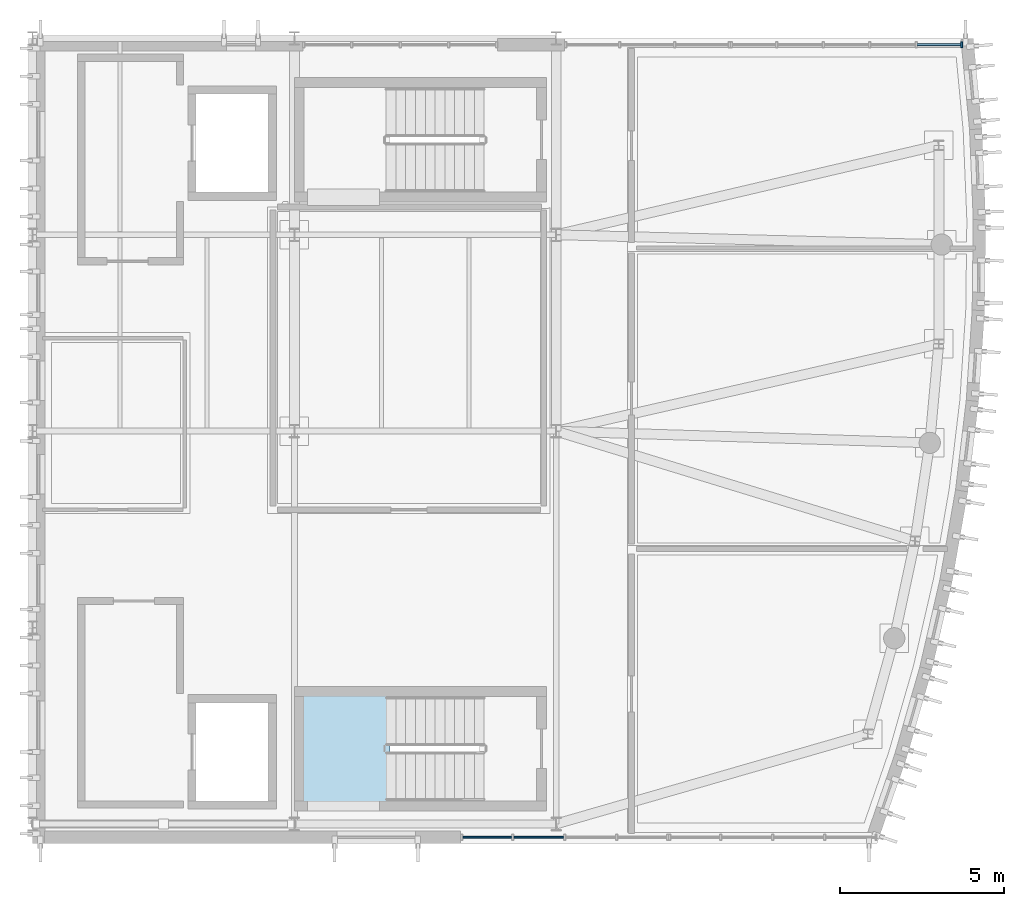
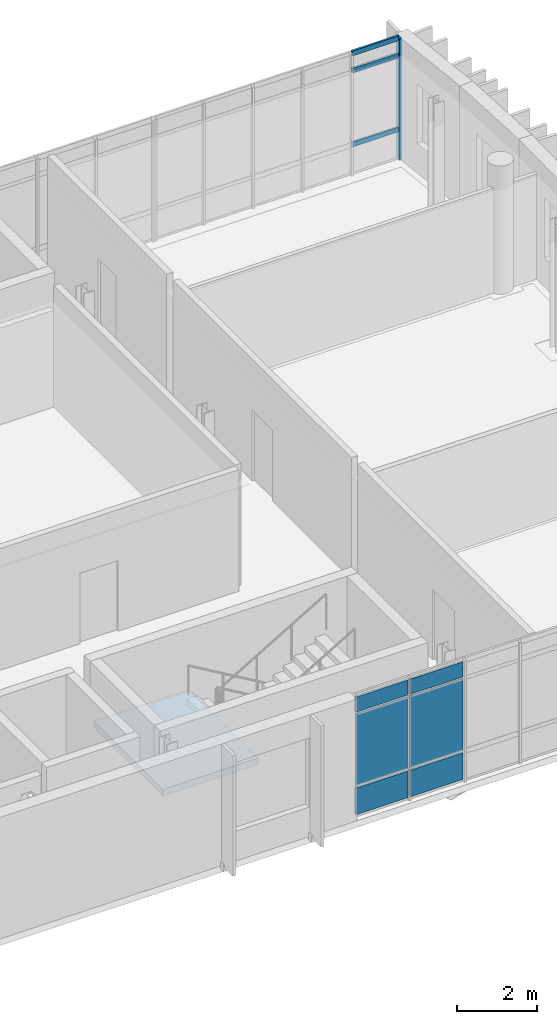
# One storey, part 4 of 10: 6 plates, 4 members, 1 slab, 3 elements without a shape of their own.
"""IFC4 building model written with IfcOpenShell, lengths in metres."""

from ifc_helpers import new_model, si_unit, direction, frame, origin, origin_2d, place, context, subcontext, project, spatial, polyline, rectangle, outline, extrude, material, layer, layer_set, material_profile, profile_set, type_object, element, aggregate, save


model = new_model("IFC4")

# Units and contexts
model_context = context("Model", 3, precision=1e-05, world=origin(), true_north=direction((0.0, 1.0)))
body_context = subcontext(model_context, "Body", "Model", "MODEL_VIEW")
ifc_project = project(units=[si_unit("LENGTHUNIT", "METRE"), si_unit("AREAUNIT", "SQUARE_METRE"), si_unit("VOLUMEUNIT", "CUBIC_METRE"), si_unit("PLANEANGLEUNIT", "RADIAN"), si_unit("MASSUNIT", "GRAM", prefix="KILO")], contexts=[model_context])

# Site, building, storey
site_placement = place(None, origin())
site = spatial("IfcSite", under=ifc_project, at=site_placement, CompositionType="ELEMENT")
building_placement = place(site_placement, origin())
building = spatial("IfcBuilding", under=site, at=building_placement, Name="Cymarion Research Institute", CompositionType="ELEMENT")
storey_placement = place(building_placement, frame((0.0, 0.0, 38.39990234375)))
storey = spatial("IfcBuildingStorey", under=building, at=storey_placement, Name="L09", CompositionType="ELEMENT", Elevation=38.39990234375)

# Curtain wall, members
ifc_material_1 = material(Name="Anodised aluminium unitised curtain wall with Low-E glazing", Category="aluminium")
curtain_wall_type_1 = type_object("IfcCurtainWallType", Name="UNITISED CURTAIN WALL CW67 7100X3700", PredefinedType="NOTDEFINED", material=ifc_material_1)
curtain_wall_1_placement = place(storey_placement, origin())
curtain_wall_1 = element("IfcCurtainWall", 1, at=curtain_wall_1_placement, inside=storey, type_object=curtain_wall_type_1, Name="L09 V1 unitised curtain wall CW67 #250", PredefinedType="NOTDEFINED")
ifc_material_2 = material(Name="Anodised aluminium framing", Category="aluminium")
ifc_material_profile_1 = material_profile(ifc_material_2, rectangle(XDim=0.06005859375, YDim=0.179931640625, at=origin_2d()), Name="ALU MULLION 60x180")
ifc_profile_set_1 = profile_set([ifc_material_profile_1], Name="Anodised aluminium framing")
member_type_1 = type_object("IfcMemberType", Name="CURTAIN WALL MULLION ML01 60X180", PredefinedType="MULLION", material=ifc_profile_set_1)
member_1_placement = place(storey_placement, frame((166.98583984375, 29.31005859375, 0.0), z_axis=(0.0, 0.0, 1.0), x_axis=(-1.0, 0.0, 0.0)))
member_1 = element("IfcMember", 2, at=member_1_placement, type_object=member_type_1, Name="CW67 mullion 1", PredefinedType="MULLION", context=body_context, shape_type="SweptSolid", body=[
    extrude(rectangle(XDim=0.06005859375, YDim=0.179931640625, at=origin_2d()), origin(), (0.0, 0.0, 1.0), 3.7001953125),
])
ifc_material_profile_2 = material_profile(ifc_material_2, rectangle(XDim=0.06005859375, YDim=0.14990234375, at=origin_2d()), Name="ALU TRANSOM 60x150")
ifc_profile_set_2 = profile_set([ifc_material_profile_2], Name="Anodised aluminium framing")
member_type_2 = type_object("IfcMemberType", Name="CURTAIN WALL TRANSOM TR01 60X150", PredefinedType="USERDEFINED", material=ifc_profile_set_2)
member_2_placement = place(storey_placement, frame((166.955810546875, 29.31005859375, 0.900146484375), z_axis=(-1.0, 0.0, 0.0), x_axis=(0.0, -1.0, 0.0)))
member_2 = element("IfcMember", 3, at=member_2_placement, type_object=member_type_2, Name="CW67 transom 1.2", ObjectType="TRANSOM", PredefinedType="USERDEFINED", context=body_context, shape_type="SweptSolid", body=[
    extrude(rectangle(XDim=0.06005859375, YDim=0.14990234375, at=origin_2d()), origin(), (0.0, 0.0, 1.0), 1.330810546875),
])
member_3_placement = place(storey_placement, frame((166.955810546875, 29.31005859375, 3.150146484375), z_axis=(-1.0, 0.0, 0.0), x_axis=(0.0, -1.0, 0.0)))
member_3 = element("IfcMember", 4, at=member_3_placement, type_object=member_type_2, Name="CW67 transom 1.3", ObjectType="TRANSOM", PredefinedType="USERDEFINED", context=body_context, shape_type="SweptSolid", body=[
    extrude(rectangle(XDim=0.06005859375, YDim=0.14990234375, at=origin_2d()), origin(), (0.0, 0.0, 1.0), 1.330810546875),
])
member_4_placement = place(storey_placement, frame((166.955810546875, 29.31005859375, 3.670166015625), z_axis=(-1.0, 0.0, 0.0), x_axis=(0.0, -1.0, 0.0)))
member_4 = element("IfcMember", 5, at=member_4_placement, type_object=member_type_2, Name="CW67 transom 1.4", ObjectType="TRANSOM", PredefinedType="USERDEFINED", context=body_context, shape_type="SweptSolid", body=[
    extrude(rectangle(XDim=0.06005859375, YDim=0.14990234375, at=origin_2d()), origin(), (0.0, 0.0, 1.0), 1.330810546875),
])
aggregate(curtain_wall_1, [member_1, member_2, member_3, member_4])

# Curtain wall, plates
curtain_wall_type_2 = type_object("IfcCurtainWallType", Name="UNITISED CURTAIN WALL CW66 6360X3700", PredefinedType="NOTDEFINED", material=ifc_material_1)
curtain_wall_2_placement = place(storey_placement, origin())
curtain_wall_2 = element("IfcCurtainWall", 6, at=curtain_wall_2_placement, inside=storey, type_object=curtain_wall_type_2, Name="L09 V1 unitised curtain wall CW66 #248", PredefinedType="NOTDEFINED")
ifc_material_3 = material(Name="Insulated anodised aluminium spandrel panel", Category="aluminium")
ifc_layer_1 = layer(ifc_material_3, 0.06005859375)
ifc_layer_set_1 = layer_set([ifc_layer_1], Name="Insulated anodised aluminium spandrel panel")
plate_type_1 = type_object("IfcPlateType", Name="INSULATED ALUMINIUM SPANDREL PANEL SP01 60MM", PredefinedType="SHEET", material=ifc_layer_set_1)
plate_1_placement = place(storey_placement, frame((152.490966796875, 5.090087890625, 0.06005859375), z_axis=(0.0, 0.0, 1.0), x_axis=(1.0, 0.0, 0.0)))
plate_1 = element("IfcPlate", 7, at=plate_1_placement, type_object=plate_type_1, Name="CW66 panel 1.1", PredefinedType="SHEET", context=body_context, shape_type="SweptSolid", body=[
    extrude(rectangle(XDim=1.499755859375, YDim=0.06005859375, at=origin_2d()), origin(), (0.0, 0.0, 1.0), 0.81005859375),
])
plate_2_placement = place(storey_placement, frame((152.490966796875, 5.090087890625, 3.18017578125), z_axis=(0.0, 0.0, 1.0), x_axis=(1.0, 0.0, 0.0)))
plate_2 = element("IfcPlate", 8, at=plate_2_placement, type_object=plate_type_1, Name="CW66 panel 1.3", PredefinedType="SHEET", context=body_context, shape_type="SweptSolid", body=[
    extrude(rectangle(XDim=1.499755859375, YDim=0.06005859375, at=origin_2d()), origin(), (0.0, 0.0, 1.0), 0.4599609375),
])
plate_3_placement = place(storey_placement, frame((154.06591796875, 5.090087890625, 0.06005859375), z_axis=(0.0, 0.0, 1.0), x_axis=(1.0, 0.0, 0.0)))
plate_3 = element("IfcPlate", 9, at=plate_3_placement, type_object=plate_type_1, Name="CW66 panel 2.1", PredefinedType="SHEET", context=body_context, shape_type="SweptSolid", body=[
    extrude(rectangle(XDim=1.52978515625, YDim=0.06005859375, at=origin_2d()), origin(), (0.0, 0.0, 1.0), 0.81005859375),
])
plate_4_placement = place(storey_placement, frame((154.06591796875, 5.090087890625, 3.18017578125), z_axis=(0.0, 0.0, 1.0), x_axis=(1.0, 0.0, 0.0)))
plate_4 = element("IfcPlate", 10, at=plate_4_placement, type_object=plate_type_1, Name="CW66 panel 2.3", PredefinedType="SHEET", context=body_context, shape_type="SweptSolid", body=[
    extrude(rectangle(XDim=1.52978515625, YDim=0.06005859375, at=origin_2d()), origin(), (0.0, 0.0, 1.0), 0.4599609375),
])

# Stair, slab
ifc_material_4 = material(Name="Concrete C35/45", Category="concrete")
stair_type = type_object("IfcStairType", Name="REINFORCED CONCRETE DOGLEG STAIR STR-3900", PredefinedType="HALF_TURN_STAIR", material=ifc_material_4)
stair_placement = place(storey_placement, origin())
stair = element("IfcStair", 11, at=stair_placement, inside=storey, type_object=stair_type, Name="L09 Core C1 Smoke-Proof Exit Stair ST1", PredefinedType="HALF_TURN_STAIR")
ifc_layer_2 = layer(ifc_material_4, 0.199951171875)
ifc_layer_set_2 = layer_set([ifc_layer_2], Name="Concrete C35/45")
slab_type = type_object("IfcSlabType", Name="REINFORCED CONCRETE STAIR LANDING LDG200", PredefinedType="LANDING", material=ifc_layer_set_2)
slab_placement = place(storey_placement, frame((0.0, 0.0, 1.75)))
slab = element("IfcSlab", 12, at=slab_placement, type_object=slab_type, Name="ST1 landing 1", PredefinedType="LANDING", context=body_context, shape_type="SweptSolid", body=[
    extrude(outline(polyline([(149.52001953125, 9.52001953125), (149.52001953125, 6.080078125), (146.780029296875, 6.080078125), (146.780029296875, 9.52001953125), (149.52001953125, 9.52001953125)])), origin(), (0.0, 0.0, 1.0), 0.2001953125),
])
aggregate(stair, [slab])

# Plate
ifc_material_5 = material(Name="Low-E double solar-control glazing", Category="glass")
ifc_layer_3 = layer(ifc_material_5, 0.035888671875)
ifc_layer_set_3 = layer_set([ifc_layer_3], Name="Low-E double solar-control glazing")
plate_type_2 = type_object("IfcPlateType", Name="SOLAR CONTROL GLAZED VISION PANEL GP01 36MM", PredefinedType="CURTAIN_PANEL", material=ifc_layer_set_3)
plate_5_placement = place(storey_placement, frame((152.490966796875, 5.090087890625, 0.93017578125), z_axis=(0.0, 0.0, 1.0), x_axis=(1.0, 0.0, 0.0)))
plate_5 = element("IfcPlate", 13, at=plate_5_placement, type_object=plate_type_2, Name="CW66 panel 1.2", PredefinedType="CURTAIN_PANEL", context=body_context, shape_type="SweptSolid", body=[
    extrude(rectangle(XDim=1.499755859375, YDim=0.035888671875, at=origin_2d()), origin(), (0.0, 0.0, 1.0), 2.18994140625),
])

plate_6_placement = place(storey_placement, frame((154.06591796875, 5.090087890625, 0.93017578125), z_axis=(0.0, 0.0, 1.0), x_axis=(1.0, 0.0, 0.0)))
plate_6 = element("IfcPlate", 14, at=plate_6_placement, type_object=plate_type_2, Name="CW66 panel 2.2", PredefinedType="CURTAIN_PANEL", context=body_context, shape_type="SweptSolid", body=[
    extrude(rectangle(XDim=1.52978515625, YDim=0.035888671875, at=origin_2d()), origin(), (0.0, 0.0, 1.0), 2.18994140625),
])

aggregate(curtain_wall_2, [plate_1, plate_5, plate_2, plate_3, plate_6, plate_4])

save(model, "model.ifc")
